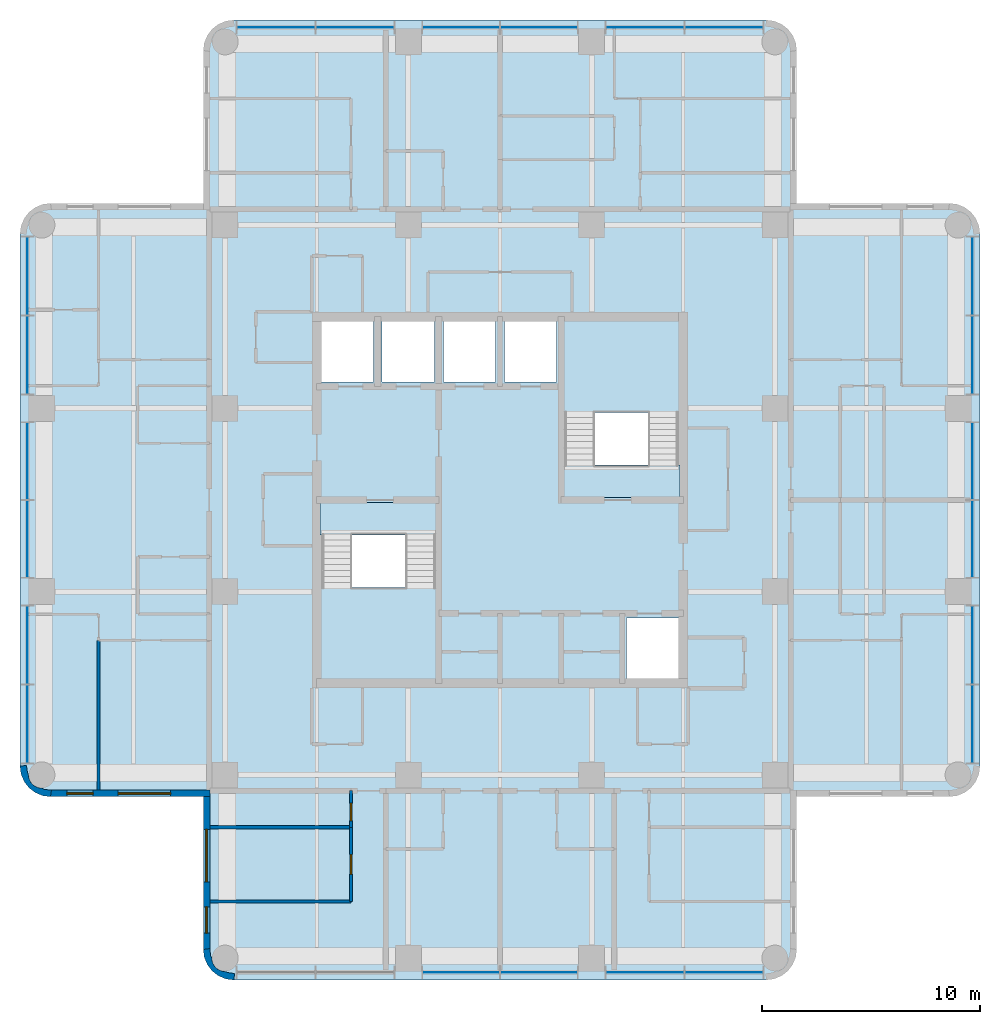
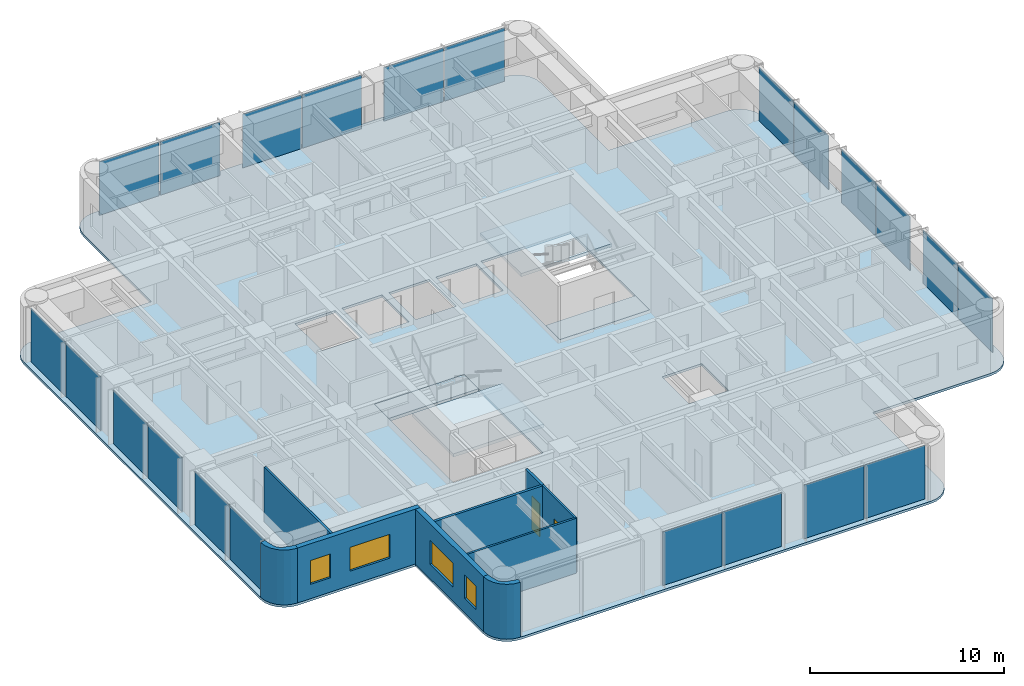
# One storey, part 3 of 10: 22 plates, 9 walls, 5 slabs, 4 windows, 2 doors, 6 openings, 6 elements without a shape of their own.
"""IFC4 building model written with IfcOpenShell, lengths in metres."""

import ifcopenshell
import ifcopenshell.guid

model = None  # the IFC model being written
_history = None  # IfcOwnerHistory: only IFC2X3 demands one
_inside = {}  # id of a spatial element -> (the spatial element, [elements in it])
_under = {}  # id of a project, library or spatial element -> (it, [spatial elements below it])
_declared = {}  # id of a project -> (the project, [libraries it declares])
_typed = {}  # id of a type object -> (the type object, [elements of that type])
_made_of = {}  # id of a material, layer set ... -> (it, [elements and type objects made of it])


def new_model(schema):
    """Start an empty IFC model of exactly this schema.

    Asked for "IFC4X3", IfcOpenShell would pick the latest addendum, in which some entities
    have other attributes; the version numbers below select the first issue.
    IFC2X3 requires an IfcOwnerHistory on every rooted entity: one is made here for all.
    """
    global model, _history
    if schema == "IFC4X3":
        model = ifcopenshell.file(schema_version=(4, 3, 0, 0))
    else:
        model = ifcopenshell.file(schema=schema)
    _inside.clear()
    _under.clear()
    _declared.clear()
    _typed.clear()
    _made_of.clear()
    _history = None
    if model.schema == "IFC2X3":
        org = make("IfcOrganization", Name="unknown")
        user = make(
            "IfcPersonAndOrganization",
            ThePerson=make("IfcPerson", FamilyName="unknown"),
            TheOrganization=org,
        )
        app = make(
            "IfcApplication",
            ApplicationDeveloper=org,
            Version="unknown",
            ApplicationFullName="unknown",
            ApplicationIdentifier="unknown",
        )
        _history = make(
            "IfcOwnerHistory",
            OwningUser=user,
            OwningApplication=app,
            ChangeAction="ADDED",
            CreationDate=0,
        )
    return model


def make(cls, **values):
    """One entity of the class cls with the attributes given. An attribute that is None is left unset."""
    return model.create_entity(
        cls, **{name: value for name, value in values.items() if value is not None}
    )


def rooted(cls, **values):
    """An entity with a GlobalId (a new one), such as an element, a storey or a relation."""
    return make(cls, GlobalId=ifcopenshell.guid.new(), OwnerHistory=_history, **values)


def si_unit(unit_type, name, prefix=None):
    """IfcSIUnit, for example si_unit("LENGTHUNIT", "METRE", prefix="MILLI")."""
    return make("IfcSIUnit", UnitType=unit_type, Prefix=prefix, Name=name)


def assignment(units):
    """IfcUnitAssignment: the units of a project."""
    return None if units is None else make("IfcUnitAssignment", Units=units)


def point(xyz):
    """IfcCartesianPoint."""
    return None if xyz is None else make("IfcCartesianPoint", Coordinates=xyz)


def direction(xyz):
    """IfcDirection."""
    return None if xyz is None else make("IfcDirection", DirectionRatios=xyz)


def frame(location, z_axis=None, x_axis=None):
    """IfcAxis2Placement3D, a coordinate frame: its origin and axes. An axis left out is left unset."""
    return make(
        "IfcAxis2Placement3D",
        Location=point(location),
        Axis=direction(z_axis),
        RefDirection=direction(x_axis),
    )


def frame_2d(location, x_axis=None):
    """IfcAxis2Placement2D, a coordinate frame in the plane: its origin and x axis."""
    return make(
        "IfcAxis2Placement2D", Location=point(location), RefDirection=direction(x_axis)
    )


def origin():
    """The frame at (0, 0, 0) with its axes left unset."""
    return frame((0.0, 0.0, 0.0))


def origin_2d():
    """The frame at (0, 0) in the plane with its x axis left unset."""
    return frame_2d((0.0, 0.0))


def place(relative_to, where):
    """IfcLocalPlacement: puts the frame where relative to a parent placement (None: the world)."""
    return make(
        "IfcLocalPlacement", PlacementRelTo=relative_to, RelativePlacement=where
    )


def context(
    kind, dimensions, precision=None, world=None, true_north=None, identifier=None
):
    """IfcGeometricRepresentationContext, for example the 3D "Model" context."""
    return make(
        "IfcGeometricRepresentationContext",
        ContextIdentifier=identifier,
        ContextType=kind,
        CoordinateSpaceDimension=dimensions,
        Precision=precision,
        WorldCoordinateSystem=world,
        TrueNorth=true_north,
    )


def subcontext(parent, identifier, kind, view, scale=None):
    """IfcGeometricRepresentationSubContext, for example "Body" below "Model"."""
    return make(
        "IfcGeometricRepresentationSubContext",
        ContextIdentifier=identifier,
        ContextType=kind,
        ParentContext=parent,
        TargetScale=scale,
        TargetView=view,
    )


def project(units=None, contexts=None):
    """IfcProject with its units and contexts."""
    return rooted(
        "IfcProject",
        Name="project",
        RepresentationContexts=contexts,
        UnitsInContext=assignment(units),
    )


def spatial(cls, under=None, at=None, **own):
    """A site, building, storey or space (cls), placed at a placement, below another one or the project."""
    s = rooted(cls, ObjectPlacement=at, **own)
    if under is not None:
        _under.setdefault(under.id(), (under, []))[1].append(s)
    return s


def polyline(points):
    """IfcPolyline through the points."""
    return make("IfcPolyline", Points=[point(p) for p in points])


def profile(cls, at=None, kind="AREA", **sizes):
    """A parametric profile (cls). Its sizes go by their IFC names, for example OverallWidth=200.0."""
    return make(cls, ProfileType=kind, Position=at, **sizes)


def rectangle(**sizes):
    """IfcRectangleProfileDef."""
    return profile("IfcRectangleProfileDef", **sizes)


def outline(outer, holes=None, kind="AREA"):
    """IfcArbitraryClosedProfileDef: a profile drawn as a closed curve; with holes, ...WithVoids."""
    if holes is None:
        return make("IfcArbitraryClosedProfileDef", ProfileType=kind, OuterCurve=outer)
    return make(
        "IfcArbitraryProfileDefWithVoids",
        ProfileType=kind,
        OuterCurve=outer,
        InnerCurves=holes,
    )


def extrude(swept, where, along, depth):
    """IfcExtrudedAreaSolid: the profile swept, set in the frame where, extruded along a direction by depth."""
    return make(
        "IfcExtrudedAreaSolid",
        SweptArea=swept,
        Position=where,
        ExtrudedDirection=direction(along),
        Depth=depth,
    )


def shape(context_of_items, identifier, shape_type, items):
    """IfcShapeRepresentation: the items that make up one representation, for example the "Body"."""
    return make(
        "IfcShapeRepresentation",
        ContextOfItems=context_of_items,
        RepresentationIdentifier=identifier,
        RepresentationType=shape_type,
        Items=items,
    )


def material(Name=None, Category=None):
    """IfcMaterial."""
    return make("IfcMaterial", Name=Name, Category=Category)


def layer(
    of_material, thickness, ventilated=None, Name=None, Category=None, Priority=None
):
    """IfcMaterialLayer: one layer of a wall or slab, of a material (None: an air gap)."""
    return make(
        "IfcMaterialLayer",
        Material=of_material,
        LayerThickness=thickness,
        IsVentilated=ventilated,
        Name=Name,
        Category=Category,
        Priority=Priority,
    )


def layer_set(layers, Name=None):
    """IfcMaterialLayerSet."""
    return make("IfcMaterialLayerSet", MaterialLayers=layers, LayerSetName=Name)


def made_of(thing, what):
    """Note that an element or type object is made of a material, layer set ...; save() writes the relation."""
    if what is not None:
        _made_of.setdefault(what.id(), (what, []))[1].append(thing)
    return thing


def type_object(cls, material=None, **own):
    """A type object (cls), such as IfcWallType, which elements share."""
    return made_of(rooted(cls, **own), material)


def element(
    cls,
    number,
    at=None,
    inside=None,
    cuts=None,
    type_object=None,
    material=None,
    context=None,
    identifier="Body",
    shape_type=None,
    held_by="IfcProductDefinitionShape",
    body=None,
    shapes=None,
    **own,
):
    """One element of the class cls, such as IfcWall. Its Tag is "e" and its number.

    at: its placement. inside: the storey or other place that contains it. cuts: it is an
    opening in that element (IfcRelVoidsElement). A single representation is given by context,
    identifier, shape_type and body (its items); several are given by shapes. held_by: the class
    of the entity that holds the representations. save() writes the other relations.
    """
    e = rooted(cls, Tag="e%d" % number, ObjectPlacement=at, **own)
    if body is not None:
        shapes = [shape(context, identifier, shape_type, body)]
    if shapes is not None:
        e.Representation = make(held_by, Representations=shapes)
    if inside is not None:
        _inside.setdefault(inside.id(), (inside, []))[1].append(e)
    if cuts is not None:
        rooted(
            "IfcRelVoidsElement", RelatingBuildingElement=cuts, RelatedOpeningElement=e
        )
    if type_object is not None:
        _typed.setdefault(type_object.id(), (type_object, []))[1].append(e)
    return made_of(e, material)


def fill(opening, filler):
    """IfcRelFillsElement: the door or window that sits in an opening."""
    return rooted(
        "IfcRelFillsElement",
        RelatingOpeningElement=opening,
        RelatedBuildingElement=filler,
    )


def aggregate(whole, parts):
    """IfcRelAggregates: a whole, such as a stair, and the parts it consists of."""
    return rooted("IfcRelAggregates", RelatingObject=whole, RelatedObjects=parts)


def save(model, path):
    """Write the relations noted so far, then the file.

    IfcRelAggregates (storeys below a building ...), IfcRelContainedInSpatialStructure (elements
    in a storey), IfcRelDefinesByType, IfcRelAssociatesMaterial and IfcRelDeclares: one each for
    every whole, place, type object, material and project.
    """
    for whole, parts in _under.values():
        aggregate(whole, parts)
    for where, things in _inside.values():
        rooted(
            "IfcRelContainedInSpatialStructure",
            RelatedElements=things,
            RelatingStructure=where,
        )
    for kind, things in _typed.values():
        rooted("IfcRelDefinesByType", RelatedObjects=things, RelatingType=kind)
    for what, things in _made_of.values():
        rooted("IfcRelAssociatesMaterial", RelatedObjects=things, RelatingMaterial=what)
    for by, libraries in _declared.values():
        rooted("IfcRelDeclares", RelatingContext=by, RelatedDefinitions=libraries)
    model.write(path)


model = new_model("IFC4")

# Units and contexts
model_context = context("Model", 3, precision=1e-05, world=origin(), true_north=direction((0.0, 1.0)))
body_context = subcontext(model_context, "Body", "Model", "MODEL_VIEW")
ifc_project = project(units=[si_unit("LENGTHUNIT", "METRE"), si_unit("AREAUNIT", "SQUARE_METRE"), si_unit("VOLUMEUNIT", "CUBIC_METRE"), si_unit("PLANEANGLEUNIT", "RADIAN"), si_unit("MASSUNIT", "GRAM", prefix="KILO")], contexts=[model_context])

# Site, building, storey
site_placement = place(None, origin())
site = spatial("IfcSite", under=ifc_project, at=site_placement, CompositionType="ELEMENT")
building_placement = place(site_placement, origin())
building = spatial("IfcBuilding", under=site, at=building_placement, Name="Torre Alcanfor", CompositionType="ELEMENT")
storey_placement = place(building_placement, frame((0.0, 0.0, 279.300048828125)))
storey = spatial("IfcBuildingStorey", under=building, at=storey_placement, Name="L73", CompositionType="ELEMENT", Elevation=279.300048828125)

# Curtain wall, plates
ifc_material_1 = material(Name="Aluminium and glass", Category="aluminium")
curtain_wall_type = type_object("IfcCurtainWallType", Name="CW-A unitised apartment glazing with vertical FIN", PredefinedType="NOTDEFINED", material=ifc_material_1)
curtain_wall_1_placement = place(storey_placement, origin())
curtain_wall_1 = element("IfcCurtainWall", 1, at=curtain_wall_1_placement, inside=storey, type_object=curtain_wall_type, Name="Curtain wall CW-A L73 2", PredefinedType="NOTDEFINED")
ifc_material_2 = material(Name="Glass", Category="glass")
ifc_layer_1 = layer(ifc_material_2, 0.028076171875)
ifc_layer_set_1 = layer_set([ifc_layer_1], Name="CW-A clear double glazed unit")
plate_type = type_object("IfcPlateType", Name="CW-A clear double glazed unit", PredefinedType="CURTAIN_PANEL", material=ifc_layer_set_1)
plate_1_placement = place(storey_placement, frame((7.75, 39.664794921875, 0.0), z_axis=(0.0, 0.0, 1.0), x_axis=(0.0, -1.0, 0.0)))
plate_1 = element("IfcPlate", 2, at=plate_1_placement, type_object=plate_type, Name="CW-A panel 1.1.1", PredefinedType="CURTAIN_PANEL", context=body_context, shape_type="SweptSolid", body=[
    extrude(rectangle(XDim=3.55322265625, YDim=0.028076171875, at=origin_2d()), origin(), (0.0, 0.0, 1.0), 3.385009765625),
])
plate_2_placement = place(storey_placement, frame((7.75, 36.046630859375, 0.0), z_axis=(0.0, 0.0, 1.0), x_axis=(0.0, -1.0, 0.0)))
plate_2 = element("IfcPlate", 3, at=plate_2_placement, type_object=plate_type, Name="CW-A panel 1.2.1", PredefinedType="CURTAIN_PANEL", context=body_context, shape_type="SweptSolid", body=[
    extrude(rectangle(XDim=3.55322265625, YDim=0.028076171875, at=origin_2d()), origin(), (0.0, 0.0, 1.0), 3.385009765625),
])
plate_3_placement = place(storey_placement, frame((7.75, 31.18115234375, 0.0), z_axis=(0.0, 0.0, 1.0), x_axis=(0.0, -1.0, 0.0)))
plate_3 = element("IfcPlate", 4, at=plate_3_placement, type_object=plate_type, Name="CW-A panel 2.1.1", PredefinedType="CURTAIN_PANEL", context=body_context, shape_type="SweptSolid", body=[
    extrude(rectangle(XDim=3.49755859375, YDim=0.028076171875, at=origin_2d()), origin(), (0.0, 0.0, 1.0), 3.385009765625),
])
plate_4_placement = place(storey_placement, frame((7.75, 27.61865234375, 0.0), z_axis=(0.0, 0.0, 1.0), x_axis=(0.0, -1.0, 0.0)))
plate_4 = element("IfcPlate", 5, at=plate_4_placement, type_object=plate_type, Name="CW-A panel 2.2.1", PredefinedType="CURTAIN_PANEL", context=body_context, shape_type="SweptSolid", body=[
    extrude(rectangle(XDim=3.49755859375, YDim=0.028076171875, at=origin_2d()), origin(), (0.0, 0.0, 1.0), 3.385009765625),
])
plate_5_placement = place(storey_placement, frame((7.75, 22.75341796875, 0.0), z_axis=(0.0, 0.0, 1.0), x_axis=(0.0, -1.0, 0.0)))
plate_5 = element("IfcPlate", 6, at=plate_5_placement, type_object=plate_type, Name="CW-A panel 3.1.1", PredefinedType="CURTAIN_PANEL", context=body_context, shape_type="SweptSolid", body=[
    extrude(rectangle(XDim=3.55322265625, YDim=0.028076171875, at=origin_2d()), origin(), (0.0, 0.0, 1.0), 3.385009765625),
])
plate_6_placement = place(storey_placement, frame((7.75, 19.135009765625, 0.0), z_axis=(0.0, 0.0, 1.0), x_axis=(0.0, -1.0, 0.0)))
plate_6 = element("IfcPlate", 7, at=plate_6_placement, type_object=plate_type, Name="CW-A panel 3.2.1", PredefinedType="CURTAIN_PANEL", context=body_context, shape_type="SweptSolid", body=[
    extrude(rectangle(XDim=3.55322265625, YDim=0.028076171875, at=origin_2d()), origin(), (0.0, 0.0, 1.0), 3.385009765625),
])
aggregate(curtain_wall_1, [plate_1, plate_2, plate_3, plate_4, plate_5, plate_6])

curtain_wall_2_placement = place(storey_placement, origin())
curtain_wall_2 = element("IfcCurtainWall", 8, at=curtain_wall_2_placement, inside=storey, type_object=curtain_wall_type, Name="Curtain wall CW-A L73 5", PredefinedType="NOTDEFINED")
plate_7_placement = place(storey_placement, frame((27.61865234375, 7.75, 0.0), z_axis=(0.0, 0.0, 1.0), x_axis=(1.0, 0.0, 0.0)))
plate_7 = element("IfcPlate", 9, at=plate_7_placement, type_object=plate_type, Name="CW-A panel 2.1.1", PredefinedType="CURTAIN_PANEL", context=body_context, shape_type="SweptSolid", body=[
    extrude(rectangle(XDim=3.49755859375, YDim=0.028076171875, at=origin_2d()), origin(), (0.0, 0.0, 1.0), 3.385009765625),
])
plate_8_placement = place(storey_placement, frame((31.18115234375, 7.75, 0.0), z_axis=(0.0, 0.0, 1.0), x_axis=(1.0, 0.0, 0.0)))
plate_8 = element("IfcPlate", 10, at=plate_8_placement, type_object=plate_type, Name="CW-A panel 2.2.1", PredefinedType="CURTAIN_PANEL", context=body_context, shape_type="SweptSolid", body=[
    extrude(rectangle(XDim=3.49755859375, YDim=0.028076171875, at=origin_2d()), origin(), (0.0, 0.0, 1.0), 3.385009765625),
])
plate_9_placement = place(storey_placement, frame((36.046630859375, 7.75, 0.0), z_axis=(0.0, 0.0, 1.0), x_axis=(1.0, 0.0, 0.0)))
plate_9 = element("IfcPlate", 11, at=plate_9_placement, type_object=plate_type, Name="CW-A panel 3.1.1", PredefinedType="CURTAIN_PANEL", context=body_context, shape_type="SweptSolid", body=[
    extrude(rectangle(XDim=3.55322265625, YDim=0.028076171875, at=origin_2d()), origin(), (0.0, 0.0, 1.0), 3.385009765625),
])
plate_10_placement = place(storey_placement, frame((39.664794921875, 7.75, 0.0), z_axis=(0.0, 0.0, 1.0), x_axis=(1.0, 0.0, 0.0)))
plate_10 = element("IfcPlate", 12, at=plate_10_placement, type_object=plate_type, Name="CW-A panel 3.2.1", PredefinedType="CURTAIN_PANEL", context=body_context, shape_type="SweptSolid", body=[
    extrude(rectangle(XDim=3.55322265625, YDim=0.028076171875, at=origin_2d()), origin(), (0.0, 0.0, 1.0), 3.385009765625),
])
aggregate(curtain_wall_2, [plate_7, plate_8, plate_9, plate_10])

curtain_wall_3_placement = place(storey_placement, origin())
curtain_wall_3 = element("IfcCurtainWall", 13, at=curtain_wall_3_placement, inside=storey, type_object=curtain_wall_type, Name="Curtain wall CW-A L73 8", PredefinedType="NOTDEFINED")
plate_11_placement = place(storey_placement, frame((51.050048828125, 19.135009765625, 0.0), z_axis=(0.0, 0.0, 1.0), x_axis=(0.0, 1.0, 0.0)))
plate_11 = element("IfcPlate", 14, at=plate_11_placement, type_object=plate_type, Name="CW-A panel 1.1.1", PredefinedType="CURTAIN_PANEL", context=body_context, shape_type="SweptSolid", body=[
    extrude(rectangle(XDim=3.55322265625, YDim=0.028076171875, at=origin_2d()), origin(), (0.0, 0.0, 1.0), 3.385009765625),
])
plate_12_placement = place(storey_placement, frame((51.050048828125, 22.75341796875, 0.0), z_axis=(0.0, 0.0, 1.0), x_axis=(0.0, 1.0, 0.0)))
plate_12 = element("IfcPlate", 15, at=plate_12_placement, type_object=plate_type, Name="CW-A panel 1.2.1", PredefinedType="CURTAIN_PANEL", context=body_context, shape_type="SweptSolid", body=[
    extrude(rectangle(XDim=3.55322265625, YDim=0.028076171875, at=origin_2d()), origin(), (0.0, 0.0, 1.0), 3.385009765625),
])
plate_13_placement = place(storey_placement, frame((51.050048828125, 27.61865234375, 0.0), z_axis=(0.0, 0.0, 1.0), x_axis=(0.0, 1.0, 0.0)))
plate_13 = element("IfcPlate", 16, at=plate_13_placement, type_object=plate_type, Name="CW-A panel 2.1.1", PredefinedType="CURTAIN_PANEL", context=body_context, shape_type="SweptSolid", body=[
    extrude(rectangle(XDim=3.49755859375, YDim=0.028076171875, at=origin_2d()), origin(), (0.0, 0.0, 1.0), 3.385009765625),
])
plate_14_placement = place(storey_placement, frame((51.050048828125, 31.18115234375, 0.0), z_axis=(0.0, 0.0, 1.0), x_axis=(0.0, 1.0, 0.0)))
plate_14 = element("IfcPlate", 17, at=plate_14_placement, type_object=plate_type, Name="CW-A panel 2.2.1", PredefinedType="CURTAIN_PANEL", context=body_context, shape_type="SweptSolid", body=[
    extrude(rectangle(XDim=3.49755859375, YDim=0.028076171875, at=origin_2d()), origin(), (0.0, 0.0, 1.0), 3.385009765625),
])
plate_15_placement = place(storey_placement, frame((51.050048828125, 36.046630859375, 0.0), z_axis=(0.0, 0.0, 1.0), x_axis=(0.0, 1.0, 0.0)))
plate_15 = element("IfcPlate", 18, at=plate_15_placement, type_object=plate_type, Name="CW-A panel 3.1.1", PredefinedType="CURTAIN_PANEL", context=body_context, shape_type="SweptSolid", body=[
    extrude(rectangle(XDim=3.55322265625, YDim=0.028076171875, at=origin_2d()), origin(), (0.0, 0.0, 1.0), 3.385009765625),
])
plate_16_placement = place(storey_placement, frame((51.050048828125, 39.664794921875, 0.0), z_axis=(0.0, 0.0, 1.0), x_axis=(0.0, 1.0, 0.0)))
plate_16 = element("IfcPlate", 19, at=plate_16_placement, type_object=plate_type, Name="CW-A panel 3.2.1", PredefinedType="CURTAIN_PANEL", context=body_context, shape_type="SweptSolid", body=[
    extrude(rectangle(XDim=3.55322265625, YDim=0.028076171875, at=origin_2d()), origin(), (0.0, 0.0, 1.0), 3.385009765625),
])
aggregate(curtain_wall_3, [plate_11, plate_12, plate_13, plate_14, plate_15, plate_16])

curtain_wall_4_placement = place(storey_placement, origin())
curtain_wall_4 = element("IfcCurtainWall", 20, at=curtain_wall_4_placement, inside=storey, type_object=curtain_wall_type, Name="Curtain wall CW-A L73 11", PredefinedType="NOTDEFINED")
plate_17_placement = place(storey_placement, frame((39.664794921875, 51.050048828125, 0.0), z_axis=(0.0, 0.0, 1.0), x_axis=(-1.0, 0.0, 0.0)))
plate_17 = element("IfcPlate", 21, at=plate_17_placement, type_object=plate_type, Name="CW-A panel 1.1.1", PredefinedType="CURTAIN_PANEL", context=body_context, shape_type="SweptSolid", body=[
    extrude(rectangle(XDim=3.55322265625, YDim=0.028076171875, at=origin_2d()), origin(), (0.0, 0.0, 1.0), 3.385009765625),
])
plate_18_placement = place(storey_placement, frame((36.046630859375, 51.050048828125, 0.0), z_axis=(0.0, 0.0, 1.0), x_axis=(-1.0, 0.0, 0.0)))
plate_18 = element("IfcPlate", 22, at=plate_18_placement, type_object=plate_type, Name="CW-A panel 1.2.1", PredefinedType="CURTAIN_PANEL", context=body_context, shape_type="SweptSolid", body=[
    extrude(rectangle(XDim=3.55322265625, YDim=0.028076171875, at=origin_2d()), origin(), (0.0, 0.0, 1.0), 3.385009765625),
])
plate_19_placement = place(storey_placement, frame((31.18115234375, 51.050048828125, 0.0), z_axis=(0.0, 0.0, 1.0), x_axis=(-1.0, 0.0, 0.0)))
plate_19 = element("IfcPlate", 23, at=plate_19_placement, type_object=plate_type, Name="CW-A panel 2.1.1", PredefinedType="CURTAIN_PANEL", context=body_context, shape_type="SweptSolid", body=[
    extrude(rectangle(XDim=3.49755859375, YDim=0.028076171875, at=origin_2d()), origin(), (0.0, 0.0, 1.0), 3.385009765625),
])
plate_20_placement = place(storey_placement, frame((27.61865234375, 51.050048828125, 0.0), z_axis=(0.0, 0.0, 1.0), x_axis=(-1.0, 0.0, 0.0)))
plate_20 = element("IfcPlate", 24, at=plate_20_placement, type_object=plate_type, Name="CW-A panel 2.2.1", PredefinedType="CURTAIN_PANEL", context=body_context, shape_type="SweptSolid", body=[
    extrude(rectangle(XDim=3.49755859375, YDim=0.028076171875, at=origin_2d()), origin(), (0.0, 0.0, 1.0), 3.385009765625),
])
plate_21_placement = place(storey_placement, frame((22.75341796875, 51.050048828125, 0.0), z_axis=(0.0, 0.0, 1.0), x_axis=(-1.0, 0.0, 0.0)))
plate_21 = element("IfcPlate", 25, at=plate_21_placement, type_object=plate_type, Name="CW-A panel 3.1.1", PredefinedType="CURTAIN_PANEL", context=body_context, shape_type="SweptSolid", body=[
    extrude(rectangle(XDim=3.55322265625, YDim=0.028076171875, at=origin_2d()), origin(), (0.0, 0.0, 1.0), 3.385009765625),
])
plate_22_placement = place(storey_placement, frame((19.135009765625, 51.050048828125, 0.0), z_axis=(0.0, 0.0, 1.0), x_axis=(-1.0, 0.0, 0.0)))
plate_22 = element("IfcPlate", 26, at=plate_22_placement, type_object=plate_type, Name="CW-A panel 3.2.1", PredefinedType="CURTAIN_PANEL", context=body_context, shape_type="SweptSolid", body=[
    extrude(rectangle(XDim=3.55322265625, YDim=0.028076171875, at=origin_2d()), origin(), (0.0, 0.0, 1.0), 3.385009765625),
])
aggregate(curtain_wall_4, [plate_17, plate_18, plate_19, plate_20, plate_21, plate_22])

# Slab
ifc_material_3 = material(Name="Concrete f'c 35 MPa", Category="concrete")
ifc_layer_2 = layer(ifc_material_3, 0.14990234375)
ifc_layer_set_2 = layer_set([ifc_layer_2], Name="Composite floor 150 on metal deck")
slab_type_1 = type_object("IfcSlabType", Name="Composite floor 150 on metal deck", PredefinedType="FLOOR", material=ifc_layer_set_2)
slab_1_placement = place(storey_placement, frame((0.0, 0.0, -0.150146484375)))
element("IfcSlab", 27, at=slab_1_placement, inside=storey, type_object=slab_type_1, Name="Floor slab L73", PredefinedType="FLOOR", context=body_context, shape_type="SweptSolid", body=[
    extrude(outline(polyline([(15.800048828125, 43.0), (8.800048828125, 43.0), (8.437744140625, 42.952392578125), (8.10009765625, 42.8125), (7.81005859375, 42.58984375), (7.587646484375, 42.300048828125), (7.44775390625, 41.96240234375), (7.39990234375, 41.60009765625), (7.39990234375, 17.199951171875), (7.44775390625, 16.837646484375), (7.587646484375, 16.5), (7.81005859375, 16.210205078125), (8.10009765625, 15.987548828125), (8.437744140625, 15.84765625), (8.800048828125, 15.800048828125), (15.800048828125, 15.800048828125), (15.800048828125, 8.800048828125), (15.84765625, 8.437744140625), (15.987548828125, 8.10009765625), (16.210205078125, 7.81005859375), (16.5, 7.587646484375), (16.837646484375, 7.44775390625), (17.199951171875, 7.39990234375), (41.60009765625, 7.39990234375), (41.96240234375, 7.44775390625), (42.300048828125, 7.587646484375), (42.58984375, 7.81005859375), (42.8125, 8.10009765625), (42.952392578125, 8.437744140625), (43.0, 8.800048828125), (43.0, 15.800048828125), (50.0, 15.800048828125), (50.3623046875, 15.84765625), (50.699951171875, 15.987548828125), (50.989990234375, 16.210205078125), (51.21240234375, 16.5), (51.352294921875, 16.837646484375), (51.39990234375, 17.199951171875), (51.39990234375, 41.60009765625), (51.352294921875, 41.96240234375), (51.21240234375, 42.300048828125), (50.989990234375, 42.58984375), (50.699951171875, 42.8125), (50.3623046875, 42.952392578125), (50.0, 43.0), (43.0, 43.0), (43.0, 50.0), (42.952392578125, 50.3623046875), (42.8125, 50.699951171875), (42.58984375, 50.989990234375), (42.300048828125, 51.21240234375), (41.96240234375, 51.352294921875), (41.60009765625, 51.39990234375), (17.199951171875, 51.39990234375), (16.837646484375, 51.352294921875), (16.5, 51.21240234375), (16.210205078125, 50.989990234375), (15.987548828125, 50.699951171875), (15.84765625, 50.3623046875), (15.800048828125, 50.0), (15.800048828125, 43.0)]), holes=[polyline([(21.14501953125, 21.14501953125), (26.47998046875, 21.14501953125), (26.47998046875, 29.280029296875), (21.14501953125, 29.280029296875), (21.14501953125, 21.14501953125)]), polyline([(32.320068359375, 29.52001953125), (37.655029296875, 29.52001953125), (37.655029296875, 37.655029296875), (32.320068359375, 37.655029296875), (32.320068359375, 29.52001953125)]), polyline([(35.199951171875, 21.22509765625), (37.574951171875, 21.22509765625), (37.574951171875, 24.0), (35.199951171875, 24.0), (35.199951171875, 21.22509765625)]), polyline([(21.22509765625, 34.800048828125), (23.60009765625, 34.800048828125), (23.60009765625, 37.574951171875), (21.22509765625, 37.574951171875), (21.22509765625, 34.800048828125)]), polyline([(24.0, 34.800048828125), (26.39990234375, 34.800048828125), (26.39990234375, 37.574951171875), (24.0, 37.574951171875), (24.0, 34.800048828125)]), polyline([(26.800048828125, 34.800048828125), (29.199951171875, 34.800048828125), (29.199951171875, 37.574951171875), (26.800048828125, 37.574951171875), (26.800048828125, 34.800048828125)]), polyline([(29.60009765625, 34.800048828125), (32.0, 34.800048828125), (32.0, 37.574951171875), (29.60009765625, 37.574951171875), (29.60009765625, 34.800048828125)])]), origin(), (0.0, 0.0, 1.0), 0.150146484375),
])

# Stair, slabs
ifc_material_4 = material(Name="Concrete f'c 35 MPa", Category="concrete")
stair_type_1 = type_object("IfcStairType", Name="Exit stair S1 1400 wide", PredefinedType="HALF_TURN_STAIR", material=ifc_material_4)
stair_1_placement = place(storey_placement, origin())
stair_1 = element("IfcStair", 28, at=stair_1_placement, inside=storey, type_object=stair_type_1, Name="Stair S1 L73 to L74", PredefinedType="HALF_TURN_STAIR")
ifc_material_5 = material(Name="Concrete f'c 35 MPa", Category="concrete")
ifc_layer_3 = layer(ifc_material_5, 0.199951171875)
ifc_layer_set_3 = layer_set([ifc_layer_3], Name="Stair landing 200")
slab_type_2 = type_object("IfcSlabType", Name="Stair landing 200", PredefinedType="LANDING", material=ifc_layer_set_3)
slab_2_placement = place(storey_placement, frame((0.0, 0.0, -0.199951171875)))
slab_2 = element("IfcSlab", 29, at=slab_2_placement, type_object=slab_type_2, Name="S1 landing 1", PredefinedType="LANDING", context=body_context, shape_type="SweptSolid", body=[
    extrude(outline(polyline([(21.14501953125, 27.800048828125), (26.47998046875, 27.800048828125), (26.47998046875, 29.280029296875), (21.14501953125, 29.280029296875), (21.14501953125, 27.800048828125)])), origin(), (0.0, 0.0, 1.0), 0.199951171875),
])
slab_3_placement = place(storey_placement, frame((0.0, 0.0, 1.599853515625)))
slab_3 = element("IfcSlab", 30, at=slab_3_placement, type_object=slab_type_2, Name="S1 landing 2", PredefinedType="LANDING", context=body_context, shape_type="SweptSolid", body=[
    extrude(outline(polyline([(21.14501953125, 21.14501953125), (26.530029296875, 21.14501953125), (26.530029296875, 25.3798828125), (21.14501953125, 25.3798828125), (21.14501953125, 21.14501953125)])), origin(), (0.0, 0.0, 1.0), 0.2001953125),
])
aggregate(stair_1, [slab_2, slab_3])

ifc_material_6 = material(Name="Concrete f'c 35 MPa", Category="concrete")
stair_type_2 = type_object("IfcStairType", Name="Exit stair S2 1400 wide", PredefinedType="HALF_TURN_STAIR", material=ifc_material_6)
stair_2_placement = place(storey_placement, origin())
stair_2 = element("IfcStair", 31, at=stair_2_placement, inside=storey, type_object=stair_type_2, Name="Stair S2 L73 to L74", PredefinedType="HALF_TURN_STAIR")
slab_4_placement = place(storey_placement, frame((0.0, 0.0, -0.199951171875)))
slab_4 = element("IfcSlab", 32, at=slab_4_placement, type_object=slab_type_2, Name="S2 landing 1", PredefinedType="LANDING", context=body_context, shape_type="SweptSolid", body=[
    extrude(outline(polyline([(32.320068359375, 29.52001953125), (37.655029296875, 29.52001953125), (37.655029296875, 31.0), (32.320068359375, 31.0), (32.320068359375, 29.52001953125)])), origin(), (0.0, 0.0, 1.0), 0.199951171875),
])
slab_5_placement = place(storey_placement, frame((0.0, 0.0, 1.599853515625)))
slab_5 = element("IfcSlab", 33, at=slab_5_placement, type_object=slab_type_2, Name="S2 landing 2", PredefinedType="LANDING", context=body_context, shape_type="SweptSolid", body=[
    extrude(outline(polyline([(32.27001953125, 33.419921875), (37.655029296875, 33.419921875), (37.655029296875, 37.655029296875), (32.27001953125, 37.655029296875), (32.27001953125, 33.419921875)])), origin(), (0.0, 0.0, 1.0), 0.2001953125),
])
aggregate(stair_2, [slab_4, slab_5])

# Wall
ifc_material_7 = material(Name="Gypsum board on steel studs", Category="steel")
ifc_layer_4 = layer(ifc_material_7, 0.1201171875)
ifc_layer_set_4 = layer_set([ifc_layer_4], Name="Apartment partition 120")
wall_type_1 = type_object("IfcWallType", Name="Apartment partition 120", PredefinedType="PARTITIONING", material=ifc_layer_set_4)
wall_1_placement = place(storey_placement, frame((16.10009765625, 11.0, 0.0), z_axis=(0.0, 0.0, 1.0), x_axis=(1.0, 0.0, 0.0)))
element("IfcWall", 34, at=wall_1_placement, inside=storey, type_object=wall_type_1, Name="Partition L73-S2B-LIVING / L73-S2B-MASTER", PredefinedType="PARTITIONING", context=body_context, shape_type="SweptSolid", body=[
    extrude(rectangle(XDim=6.470947265625, YDim=0.1201171875, at=frame_2d((3.2353515625, 0.0))), origin(), (0.0, 0.0, 1.0), 3.449951171875),
])

# Wall, opening, door
wall_2_placement = place(storey_placement, frame((22.571044921875, 11.0, 0.0), z_axis=(0.0, 0.0, 1.0), x_axis=(0.0, 1.0, 0.0)))
wall_2 = element("IfcWall", 35, at=wall_2_placement, inside=storey, type_object=wall_type_1, Name="Partition L73-S2B-LIVING / L73-S2B-MASTER", PredefinedType="PARTITIONING", context=body_context, shape_type="SweptSolid", body=[
    extrude(rectangle(XDim=3.39990234375, YDim=0.1201171875, at=frame_2d((1.699951171875, 0.0))), origin(), (0.0, 0.0, 1.0), 3.449951171875),
])
opening_1_placement = place(wall_2_placement, frame((1.25, 0.0, 0.0)))
opening_1 = element("IfcOpeningElement", 36, at=opening_1_placement, cuts=wall_2, Name="Opening D-R1", PredefinedType="OPENING", context=body_context, shape_type="SweptSolid", body=[
    extrude(rectangle(XDim=0.89990234375, YDim=2.10009765625, at=frame_2d((0.449951171875, 1.050048828125))), frame((0.0, 0.070068359375, 0.0), z_axis=(0.0, -1.0, 0.0), x_axis=(1.0, 0.0, 0.0)), (0.0, 0.0, 1.0), 0.14013671875),
])
ifc_material_8 = material(Name="Timber", Category="wood")
door_type_1 = type_object("IfcDoorType", Name="Internal door 900x2100", OperationType="SINGLE_SWING_LEFT", PredefinedType="DOOR", material=ifc_material_8)
door_1_placement = place(opening_1_placement, origin())
door_1 = element("IfcDoor", 37, at=door_1_placement, inside=storey, type_object=door_type_1, Name="Door L73-S2B master", OperationType="SINGLE_SWING_LEFT", OverallHeight=2.10009765625, OverallWidth=0.89990234375, PredefinedType="DOOR", context=body_context, shape_type="SweptSolid", body=[
    extrude(rectangle(XDim=0.89990234375, YDim=2.10009765625, at=frame_2d((0.449951171875, 1.050048828125))), frame((0.0, 0.02490234375, 0.0), z_axis=(0.0, -1.0, 0.0), x_axis=(1.0, 0.0, 0.0)), (0.0, 0.0, 1.0), 0.050048828125),
])
fill(opening_1, door_1)

# Wall
wall_3_placement = place(storey_placement, frame((11.0, 22.970947265625, 0.0), z_axis=(0.0, 0.0, 1.0), x_axis=(0.0, -1.0, 0.0)))
element("IfcWall", 38, at=wall_3_placement, inside=storey, type_object=wall_type_1, Name="Partition L73-WX-BED2 / L73-WX-MASTER", PredefinedType="PARTITIONING", context=body_context, shape_type="SweptSolid", body=[
    extrude(rectangle(XDim=6.870849609375, YDim=0.1201171875, at=frame_2d((3.435546875, 0.0))), origin(), (0.0, 0.0, 1.0), 3.449951171875),
])

# Wall, openings, windows
ifc_material_9 = material(Name="Limestone cladding", Category="masonry")
ifc_layer_5 = layer(ifc_material_9, 0.0400390625, Name="Facing")
ifc_material_10 = material(Name="Ventilated air cavity")
ifc_layer_6 = layer(ifc_material_10, 0.02001953125, ventilated=True, Name="Ventilated joint")
ifc_material_11 = material(Name="Mineral wool insulation", Category="insulation")
ifc_layer_7 = layer(ifc_material_11, 0.10009765625, Name="Insulation")
ifc_material_12 = material(Name="Concrete f'c 35 MPa", Category="concrete")
ifc_layer_8 = layer(ifc_material_12, 0.139892578125, Name="Backing")
ifc_layer_set_5 = layer_set([ifc_layer_5, ifc_layer_6, ifc_layer_7, ifc_layer_8], Name="External wall stone-clad 300")
wall_type_2 = type_object("IfcWallType", Name="External wall stone-clad 300", PredefinedType="SOLIDWALL", material=ifc_layer_set_5)
wall_4_placement = place(storey_placement, frame((8.800048828125, 15.949951171875, 0.0), z_axis=(0.0, 0.0, 1.0), x_axis=(1.0, 0.0, 0.0)))
wall_4 = element("IfcWall", 39, at=wall_4_placement, inside=storey, type_object=wall_type_2, Name="External wall L73 3", PredefinedType="SOLIDWALL", context=body_context, shape_type="SweptSolid", body=[
    extrude(rectangle(XDim=7.300048828125, YDim=0.300048828125, at=frame_2d((3.64990234375, 0.0))), origin(), (0.0, 0.0, 1.0), 3.449951171875),
])
opening_2_placement = place(wall_4_placement, frame((3.10009765625, 0.0, 0.89990234375)))
opening_2 = element("IfcOpeningElement", 40, at=opening_2_placement, cuts=wall_4, Name="Opening W1", PredefinedType="OPENING", context=body_context, shape_type="SweptSolid", body=[
    extrude(rectangle(XDim=2.39990234375, YDim=1.5, at=frame_2d((1.199951171875, 0.75))), frame((0.0, 0.159912109375, 0.0), z_axis=(0.0, -1.0, 0.0), x_axis=(1.0, 0.0, 0.0)), (0.0, 0.0, 1.0), 0.320068359375),
])
opening_3_placement = place(wall_4_placement, frame((0.75, 0.0, 0.89990234375)))
opening_3 = element("IfcOpeningElement", 41, at=opening_3_placement, cuts=wall_4, Name="Opening W4", PredefinedType="OPENING", context=body_context, shape_type="SweptSolid", body=[
    extrude(rectangle(XDim=1.199951171875, YDim=1.5, at=frame_2d((0.60009765625, 0.75))), frame((0.0, 0.159912109375, 0.0), z_axis=(0.0, -1.0, 0.0), x_axis=(1.0, 0.0, 0.0)), (0.0, 0.0, 1.0), 0.320068359375),
])
ifc_material_13 = material(Name="Aluminium frame with clear double glazing", Category="aluminium")
window_type_1 = type_object("IfcWindowType", Name="Window bedroom 1200x1500", PartitioningType="SINGLE_PANEL", PredefinedType="WINDOW", material=ifc_material_13)
window_1_placement = place(opening_3_placement, origin())
window_1 = element("IfcWindow", 42, at=window_1_placement, inside=storey, type_object=window_type_1, Name="Window W4 L73-W1", OverallHeight=1.5, OverallWidth=1.199951171875, PartitioningType="SINGLE_PANEL", PredefinedType="WINDOW", context=body_context, shape_type="SweptSolid", body=[
    extrude(rectangle(XDim=1.199951171875, YDim=1.5, at=frame_2d((0.60009765625, 0.75))), frame((0.0, 0.030029296875, 0.0), z_axis=(0.0, -1.0, 0.0), x_axis=(1.0, 0.0, 0.0)), (0.0, 0.0, 1.0), 0.06005859375),
])
fill(opening_3, window_1)
ifc_material_14 = material(Name="Aluminium frame with clear double glazing", Category="aluminium")
window_type_2 = type_object("IfcWindowType", Name="Window bedroom 2400x1500", PartitioningType="SINGLE_PANEL", PredefinedType="WINDOW", material=ifc_material_14)
window_2_placement = place(opening_2_placement, origin())
window_2 = element("IfcWindow", 43, at=window_2_placement, inside=storey, type_object=window_type_2, Name="Window W1 L73-W1", OverallHeight=1.5, OverallWidth=2.39990234375, PartitioningType="SINGLE_PANEL", PredefinedType="WINDOW", context=body_context, shape_type="SweptSolid", body=[
    extrude(rectangle(XDim=2.39990234375, YDim=1.5, at=frame_2d((1.199951171875, 0.75))), frame((0.0, 0.030029296875, 0.0), z_axis=(0.0, -1.0, 0.0), x_axis=(1.0, 0.0, 0.0)), (0.0, 0.0, 1.0), 0.06005859375),
])
fill(opening_2, window_2)

wall_5_placement = place(storey_placement, frame((15.949951171875, 15.800048828125, 0.0), z_axis=(0.0, 0.0, 1.0), x_axis=(0.0, -1.0, 0.0)))
wall_5 = element("IfcWall", 44, at=wall_5_placement, inside=storey, type_object=wall_type_2, Name="External wall L73 4", PredefinedType="SOLIDWALL", context=body_context, shape_type="SweptSolid", body=[
    extrude(rectangle(XDim=7.0, YDim=0.300048828125, at=frame_2d((3.5, 0.0))), origin(), (0.0, 0.0, 1.0), 3.449951171875),
])
opening_4_placement = place(wall_5_placement, frame((1.5, 0.0, 0.89990234375)))
opening_4 = element("IfcOpeningElement", 45, at=opening_4_placement, cuts=wall_5, Name="Opening W1", PredefinedType="OPENING", context=body_context, shape_type="SweptSolid", body=[
    extrude(rectangle(XDim=2.39990234375, YDim=1.5, at=frame_2d((1.199951171875, 0.75))), frame((0.0, 0.159912109375, 0.0), z_axis=(0.0, -1.0, 0.0), x_axis=(1.0, 0.0, 0.0)), (0.0, 0.0, 1.0), 0.320068359375),
])
opening_5_placement = place(wall_5_placement, frame((5.050048828125, 0.0, 0.89990234375)))
opening_5 = element("IfcOpeningElement", 46, at=opening_5_placement, cuts=wall_5, Name="Opening W4", PredefinedType="OPENING", context=body_context, shape_type="SweptSolid", body=[
    extrude(rectangle(XDim=1.199951171875, YDim=1.5, at=frame_2d((0.60009765625, 0.75))), frame((0.0, 0.159912109375, 0.0), z_axis=(0.0, -1.0, 0.0), x_axis=(1.0, 0.0, 0.0)), (0.0, 0.0, 1.0), 0.320068359375),
])
window_3_placement = place(opening_5_placement, origin())
window_3 = element("IfcWindow", 47, at=window_3_placement, inside=storey, type_object=window_type_1, Name="Window W4 L73-S2", OverallHeight=1.5, OverallWidth=1.199951171875, PartitioningType="SINGLE_PANEL", PredefinedType="WINDOW", context=body_context, shape_type="SweptSolid", body=[
    extrude(rectangle(XDim=1.199951171875, YDim=1.5, at=frame_2d((0.60009765625, 0.75))), frame((0.0, 0.030029296875, 0.0), z_axis=(0.0, -1.0, 0.0), x_axis=(1.0, 0.0, 0.0)), (0.0, 0.0, 1.0), 0.06005859375),
])
fill(opening_5, window_3)
window_4_placement = place(opening_4_placement, origin())
window_4 = element("IfcWindow", 48, at=window_4_placement, inside=storey, type_object=window_type_2, Name="Window W1 L73-S2", OverallHeight=1.5, OverallWidth=2.39990234375, PartitioningType="SINGLE_PANEL", PredefinedType="WINDOW", context=body_context, shape_type="SweptSolid", body=[
    extrude(rectangle(XDim=2.39990234375, YDim=1.5, at=frame_2d((1.199951171875, 0.75))), frame((0.0, 0.030029296875, 0.0), z_axis=(0.0, -1.0, 0.0), x_axis=(1.0, 0.0, 0.0)), (0.0, 0.0, 1.0), 0.06005859375),
])
fill(opening_4, window_4)

# Walls
ifc_layer_9 = layer(ifc_material_9, 0.0400390625, Name="Facing")
ifc_layer_10 = layer(ifc_material_10, 0.02001953125, ventilated=True, Name="Ventilated joint")
ifc_layer_11 = layer(ifc_material_11, 0.10009765625, Name="Insulation")
ifc_layer_12 = layer(ifc_material_12, 0.139892578125, Name="Backing")
ifc_layer_set_6 = layer_set([ifc_layer_9, ifc_layer_10, ifc_layer_11, ifc_layer_12], Name="Rounded corner pier stone-clad 300")
wall_type_3 = type_object("IfcWallType", Name="Rounded corner pier stone-clad 300", PredefinedType="SOLIDWALL", material=ifc_layer_set_6)
wall_6_placement = place(storey_placement, frame((7.824101883, 17.161581746, 0.0), z_axis=(0.0, 0.0, 1.0), x_axis=(-0.707106781187, -0.707106781187, 0.0)))
element("IfcWall", 49, at=wall_6_placement, inside=storey, type_object=wall_type_3, Name="Corner pier L73 14", PredefinedType="SOLIDWALL", context=body_context, shape_type="SweptSolid", body=[
    extrude(outline(polyline([(0.04667321568762184, 1.4544919802800873), (0.23311738650829356, 1.2117692912302127), (0.29215804060150635, 1.069174027250699), (0.3579314008632433, 1.0034006669889621), (0.4494271513585729, 0.7824297978681659), (0.4494271513585729, 0.5431597786483039), (0.35793140086324327, 0.322534176510509), (0.2921580406015063, 0.256760816248772), (0.23311738650829356, 0.11416555226925829), (0.046673215687621845, -0.12890240376361745), (0.032689902876071465, -0.14288571657516783), (0.2728230895534366, -0.32708565200633144), (0.4951750266062377, -0.037061386285286546), (0.6350081547217414, 0.30060972308993), (0.6826549983759133, 0.6627947882582349), (0.6350081547217414, 1.025325120409541), (0.49517502660623774, 1.3629962297847575), (0.27265045606193605, 1.652847862014302), (0.03251726938457078, 1.4686479265831383), (0.04667321568762184, 1.4544919802800873)])), origin(), (0.0, 0.0, 1.0), 3.449951171875),
])
wall_7_placement = place(storey_placement, frame((16.224101883, 8.761581746, 0.0), z_axis=(0.0, 0.0, 1.0), x_axis=(-0.707106781187, -0.707106781187, 0.0)))
element("IfcWall", 50, at=wall_7_placement, inside=storey, type_object=wall_type_3, Name="Corner pier L73 15", PredefinedType="SOLIDWALL", context=body_context, shape_type="SweptSolid", body=[
    extrude(outline(polyline([(0.032689902876070875, 1.4686824532814384), (0.04667321568762128, 1.4546991404698881), (0.233117386508293, 1.2116311844370125), (0.29215804060150563, 1.0690359204574986), (0.3579314008632426, 1.0032625601957617), (0.44942715135857225, 0.7826369580579667), (0.44942715135857225, 0.5433669388381047), (0.3579314008632426, 0.3223960697173086), (0.29215804060150563, 0.25662270945557164), (0.23311738650829295, 0.11402744547605792), (0.04667321568762121, -0.12869524357381656), (0.03251726938457021, -0.14285118987686757), (0.27265045606193533, -0.3270511253080312), (0.49517502660623713, -0.03719949307848694), (0.6350081547217409, 0.3004716162967297), (0.6826549983759126, 0.6630019484480357), (0.6350081547217409, 1.0251870136163408), (0.495175026606237, 1.362858122991557), (0.27282308955343604, 1.652882388712602), (0.032689902876070875, 1.4686824532814384)])), origin(), (0.0, 0.0, 1.0), 3.449951171875),
])

# Wall, opening, door
ifc_material_15 = material(Name="Cement board on steel studs", Category="steel")
ifc_layer_13 = layer(ifc_material_15, 0.14990234375)
ifc_layer_set_7 = layer_set([ifc_layer_13], Name="Wet area partition 150")
wall_type_4 = type_object("IfcWallType", Name="Wet area partition 150", PredefinedType="PARTITIONING", material=ifc_layer_set_7)
wall_8_placement = place(storey_placement, frame((22.571044921875, 14.39990234375, 0.0), z_axis=(0.0, 0.0, 1.0), x_axis=(0.0, 1.0, 0.0)))
wall_8 = element("IfcWall", 51, at=wall_8_placement, inside=storey, type_object=wall_type_4, Name="Partition L73-S2B-LIVING / L73-S2B-BATH", PredefinedType="PARTITIONING", context=body_context, shape_type="SweptSolid", body=[
    extrude(rectangle(XDim=1.675048828125, YDim=0.14990234375, at=frame_2d((0.83740234375, 0.0))), origin(), (0.0, 0.0, 1.0), 3.449951171875),
])
opening_6_placement = place(wall_8_placement, frame((0.300048828125, 0.0, 0.0)))
opening_6 = element("IfcOpeningElement", 52, at=opening_6_placement, cuts=wall_8, Name="Opening D-R2", PredefinedType="OPENING", context=body_context, shape_type="SweptSolid", body=[
    extrude(rectangle(XDim=0.800048828125, YDim=2.10009765625, at=frame_2d((0.39990234375, 1.050048828125))), frame((0.0, 0.0849609375, 0.0), z_axis=(0.0, -1.0, 0.0), x_axis=(1.0, 0.0, 0.0)), (0.0, 0.0, 1.0), 0.169921875),
])
ifc_material_16 = material(Name="Timber", Category="wood")
door_type_2 = type_object("IfcDoorType", Name="Bathroom door 800x2100", OperationType="SINGLE_SWING_LEFT", PredefinedType="DOOR", material=ifc_material_16)
door_2_placement = place(opening_6_placement, origin())
door_2 = element("IfcDoor", 53, at=door_2_placement, inside=storey, type_object=door_type_2, Name="Door L73-S2B bath", OperationType="SINGLE_SWING_LEFT", OverallHeight=2.10009765625, OverallWidth=0.800048828125, PredefinedType="DOOR", context=body_context, shape_type="SweptSolid", body=[
    extrude(rectangle(XDim=0.800048828125, YDim=2.10009765625, at=frame_2d((0.39990234375, 1.050048828125))), frame((0.0, 0.02490234375, 0.0), z_axis=(0.0, -1.0, 0.0), x_axis=(1.0, 0.0, 0.0)), (0.0, 0.0, 1.0), 0.050048828125),
])
fill(opening_6, door_2)

# Wall
wall_9_placement = place(storey_placement, frame((22.571044921875, 14.39990234375, 0.0), z_axis=(0.0, 0.0, 1.0), x_axis=(-1.0, 0.0, 0.0)))
element("IfcWall", 54, at=wall_9_placement, inside=storey, type_object=wall_type_4, Name="Partition L73-S2B-BATH / L73-S2B-MASTER", PredefinedType="PARTITIONING", context=body_context, shape_type="SweptSolid", body=[
    extrude(rectangle(XDim=6.470947265625, YDim=0.14990234375, at=frame_2d((3.2353515625, 0.0))), origin(), (0.0, 0.0, 1.0), 3.449951171875),
])

save(model, "model.ifc")
